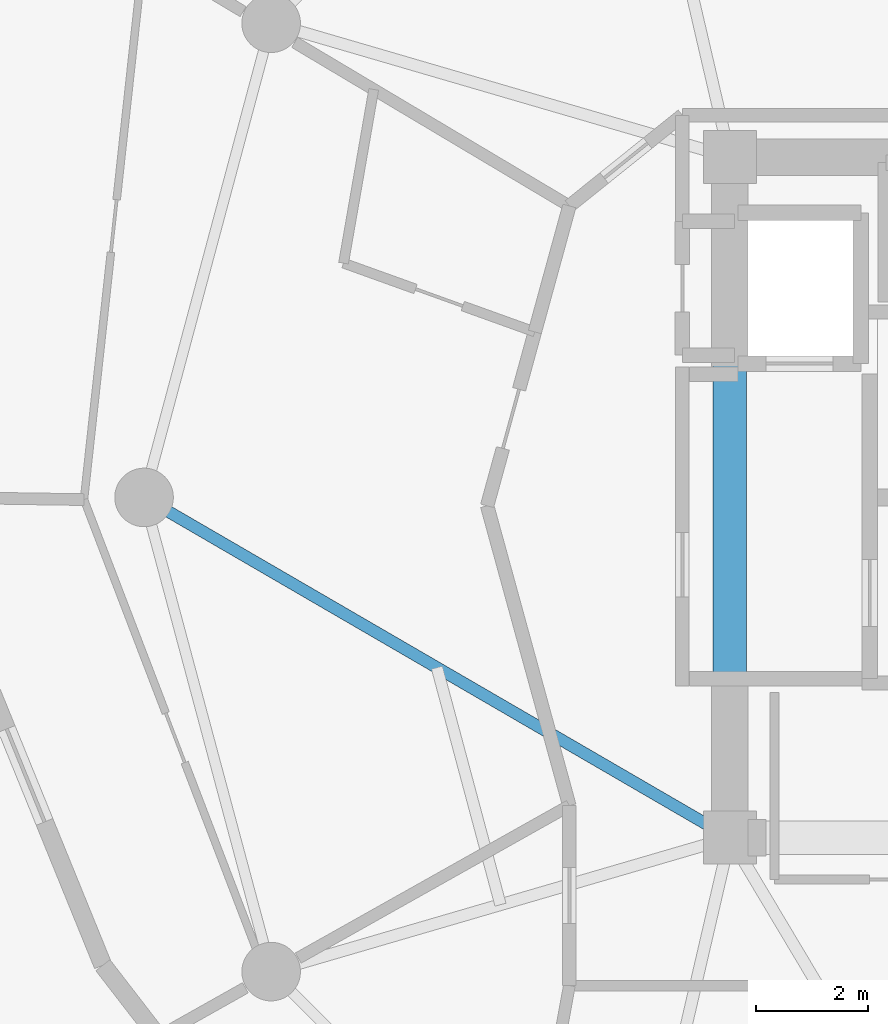
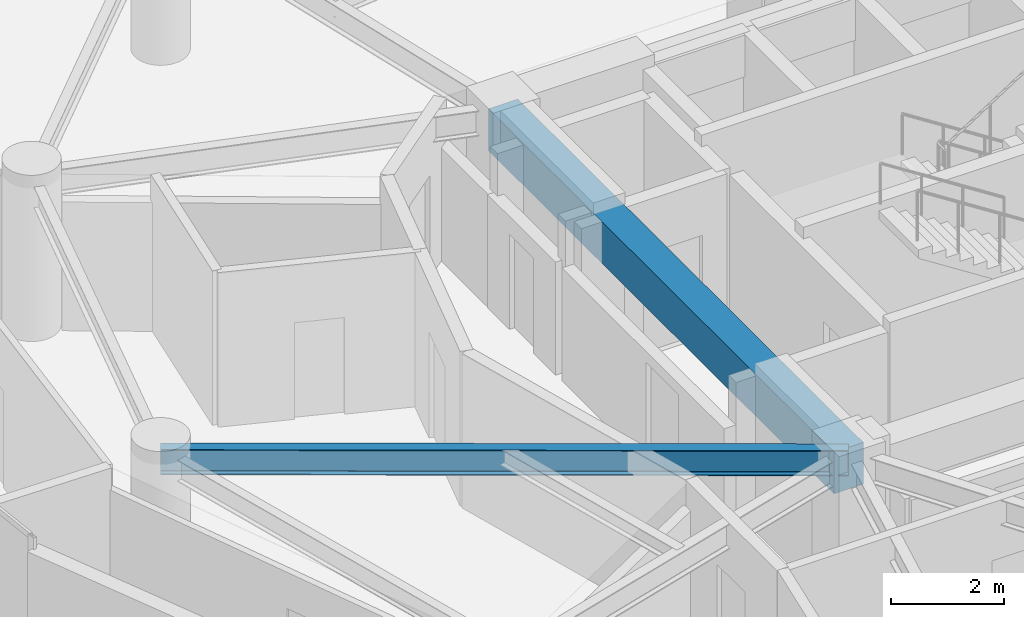
# One storey, part 6 of 22: 2 beams.
"""IFC4 building model written with IfcOpenShell, lengths in metres."""

from ifc_helpers import new_model, si_unit, direction, frame, origin, origin_2d, place, context, subcontext, project, spatial, rectangle, i_section, extrude, material, material_profile, profile_set, type_object, element, save


model = new_model("IFC4")

# Units and contexts
model_context = context("Model", 3, precision=1e-05, world=origin(), true_north=direction((0.0, 1.0)))
body_context = subcontext(model_context, "Body", "Model", "MODEL_VIEW")
ifc_project = project(units=[si_unit("LENGTHUNIT", "METRE"), si_unit("AREAUNIT", "SQUARE_METRE"), si_unit("VOLUMEUNIT", "CUBIC_METRE"), si_unit("PLANEANGLEUNIT", "RADIAN"), si_unit("MASSUNIT", "GRAM", prefix="KILO")], contexts=[model_context])

# Site, building, storey
site_placement = place(None, origin())
site = spatial("IfcSite", under=ifc_project, at=site_placement, CompositionType="ELEMENT")
building_placement = place(site_placement, origin())
building = spatial("IfcBuilding", under=site, at=building_placement, Name="Solvirekh Grand Hotel", CompositionType="ELEMENT")
storey_placement = place(building_placement, frame((0.0, 0.0, 145.800048828125)))
storey = spatial("IfcBuildingStorey", under=building, at=storey_placement, Name="L37", CompositionType="ELEMENT", Elevation=145.800048828125)

# Beams
ifc_material_1 = material(Name="Concrete C50/60", Category="concrete")
ifc_material_profile_1 = material_profile(ifc_material_1, rectangle(XDim=0.60009765625, YDim=0.89990234375, at=origin_2d()), Name="RC BEAM 600X900")
ifc_profile_set_1 = profile_set([ifc_material_profile_1], Name="Concrete C50/60")
beam_type_1 = type_object("IfcBeamType", Name="Beam_Core_RC900", PredefinedType="BEAM", material=ifc_profile_set_1)
beam_1_placement = place(storey_placement, frame((-6.5, 6.10009765625, 2.89990234375), z_axis=(0.0, -1.0, 0.0), x_axis=(1.0, 0.0, 0.0)))
element("IfcBeam", 1, at=beam_1_placement, inside=storey, type_object=beam_type_1, Name="L37 core coupling ring beam 4", PredefinedType="BEAM", context=body_context, shape_type="SweptSolid", body=[
    extrude(rectangle(XDim=0.60009765625, YDim=0.89990234375, at=origin_2d()), origin(), (0.0, 0.0, 1.0), 12.2001953125),
])
ifc_material_2 = material(Name="Steel S355", Category="steel")
ifc_material_profile_2 = material_profile(ifc_material_2, i_section(OverallWidth=0.2119140625, OverallDepth=0.5439453125, WebThickness=0.011962890625, FlangeThickness=0.01904296875, FilletRadius=0.013916015625, at=origin_2d()), Name="W530X123")
ifc_profile_set_2 = profile_set([ifc_material_profile_2], Name="Steel S355")
beam_type_2 = type_object("IfcBeamType", Name="Beam_Radial_W530H", PredefinedType="BEAM", material=ifc_profile_set_2)
beam_2_placement = place(storey_placement, frame((-6.5, -6.10009765625, 3.077880859375), z_axis=(-0.864670076815, 0.50234018181, 0.0), x_axis=(-0.50234018181, -0.864670076815, 0.0)))
element("IfcBeam", 2, at=beam_2_placement, inside=storey, type_object=beam_type_2, Name="L37 radial floor beam R07", PredefinedType="BEAM", context=body_context, shape_type="SweptSolid", body=[
    extrude(i_section(OverallWidth=0.2119140625, OverallDepth=0.5439453125, WebThickness=0.011962890625, FlangeThickness=0.01904296875, FilletRadius=0.013916015625, at=origin_2d()), origin(), (0.0, 0.0, 1.0), 12.143310546875),
])

save(model, "model.ifc")
